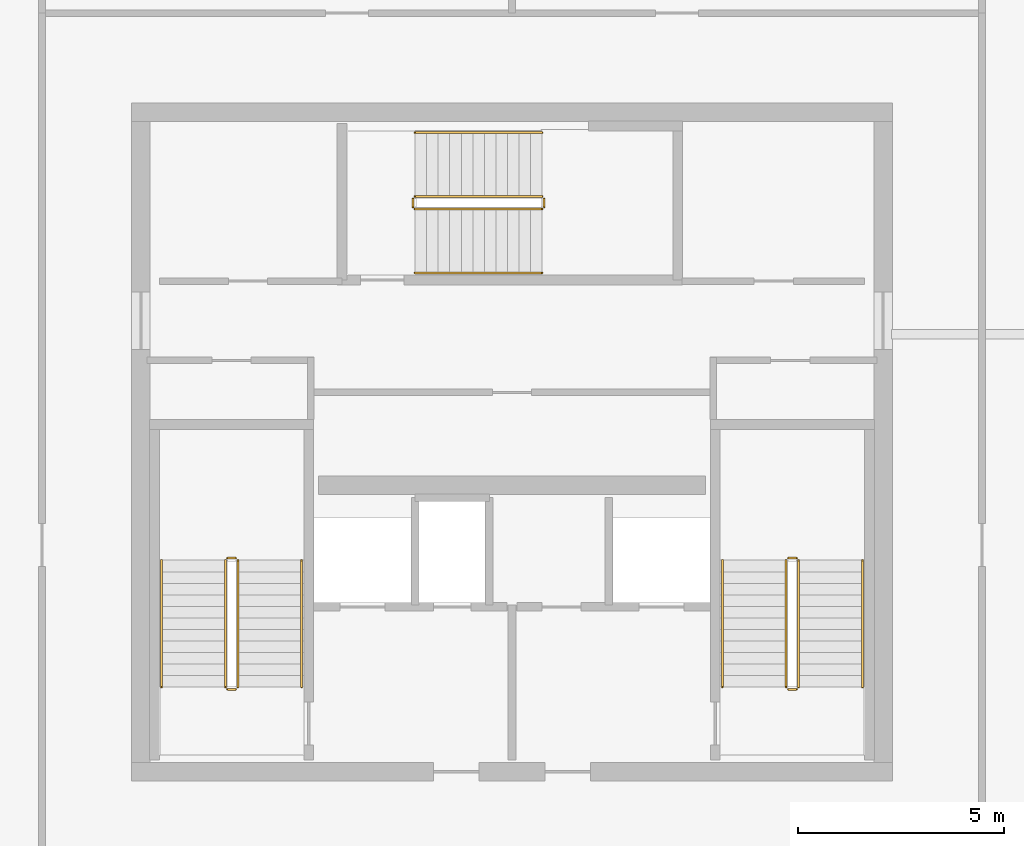
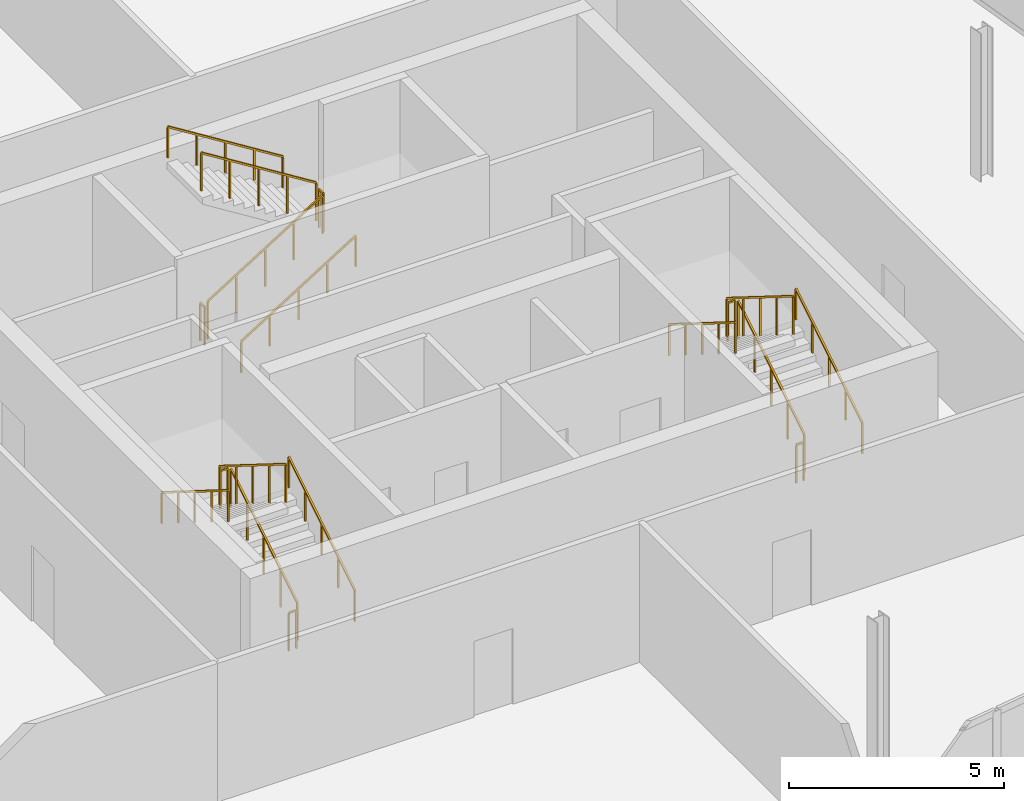
# One storey, part 13 of 13: 18 railings.
"""IFC4 building model written with IfcOpenShell, lengths in metres."""

from ifc_helpers import new_model, si_unit, direction, frame, origin, origin_2d, place, context, subcontext, project, spatial, rectangle, extrude, material, type_object, element, save


model = new_model("IFC4")

# Units and contexts
model_context = context("Model", 3, precision=1e-05, world=origin(), true_north=direction((0.0, 1.0)))
body_context = subcontext(model_context, "Body", "Model", "MODEL_VIEW")
ifc_project = project(units=[si_unit("LENGTHUNIT", "METRE"), si_unit("AREAUNIT", "SQUARE_METRE"), si_unit("VOLUMEUNIT", "CUBIC_METRE"), si_unit("PLANEANGLEUNIT", "RADIAN"), si_unit("MASSUNIT", "GRAM", prefix="KILO")], contexts=[model_context])

# Site, building, storey
site_placement = place(None, origin())
site = spatial("IfcSite", under=ifc_project, at=site_placement, CompositionType="ELEMENT")
building_placement = place(site_placement, origin())
building = spatial("IfcBuilding", under=site, at=building_placement, Name="Haldenkirk Collegiate Tower", CompositionType="ELEMENT")
storey_placement = place(building_placement, frame((0.0, 0.0, 356.39990234375)))
storey = spatial("IfcBuildingStorey", under=building, at=storey_placement, Name="L90", CompositionType="ELEMENT", Elevation=356.39990234375)

# Railings
ifc_material = material(Name="Painted architectural tubular steel", Category="steel")
railing_type_1 = type_object("IfcRailingType", Name="RLG-STAIR-GUARD-1100", PredefinedType="BALUSTRADE", material=ifc_material)
railing_1_placement = place(storey_placement, frame((29.35009765625, 20.050048828125, 0.175048828125)))
element("IfcRailing", 1, at=railing_1_placement, inside=storey, type_object=railing_type_1, Name="L90 ST-1 stair guard 1", PredefinedType="BALUSTRADE", context=body_context, shape_type="SweptSolid", body=[
    extrude(rectangle(XDim=0.048095703125, YDim=0.048095703125, at=origin_2d()), frame((0.0, 0.0, 1.076171875), z_axis=(0.0, 0.847979421464, 0.530029150871), x_axis=(-1.0, 0.0, 0.0)), (0.0, 0.0, 1.0), 3.632080078125),
    extrude(rectangle(XDim=0.0419921875, YDim=0.0419921875, at=origin_2d()), origin(), (0.0, 0.0, 1.0), 1.052001953125),
    extrude(rectangle(XDim=0.0419921875, YDim=0.0419921875, at=origin_2d()), frame((0.0, 0.77001953125, 0.481201171875)), (0.0, 0.0, 1.0), 1.052001953125),
    extrude(rectangle(XDim=0.0419921875, YDim=0.0419921875, at=origin_2d()), frame((0.0, 1.5400390625, 0.96240234375)), (0.0, 0.0, 1.0), 1.052001953125),
    extrude(rectangle(XDim=0.0419921875, YDim=0.0419921875, at=origin_2d()), frame((0.0, 2.309814453125, 1.44384765625)), (0.0, 0.0, 1.0), 1.052001953125),
    extrude(rectangle(XDim=0.0419921875, YDim=0.0419921875, at=origin_2d()), frame((0.0, 3.079833984375, 1.925048828125)), (0.0, 0.0, 1.0), 1.052001953125),
])
railing_2_placement = place(storey_placement, frame((29.300048828125, 23.179931640625, 2.10009765625)))
element("IfcRailing", 2, at=railing_2_placement, inside=storey, type_object=railing_type_1, Name="L90 ST-1 stair guard 2", PredefinedType="BALUSTRADE", context=body_context, shape_type="SweptSolid", body=[
    extrude(rectangle(XDim=0.048095703125, YDim=0.048095703125, at=origin_2d()), frame((0.0, 0.0, 1.076171875), z_axis=(-1.0, 0.0, 0.0), x_axis=(0.0, -1.0, 0.0)), (0.0, 0.0, 1.0), 0.199951171875),
    extrude(rectangle(XDim=0.0419921875, YDim=0.0419921875, at=origin_2d()), origin(), (0.0, 0.0, 1.0), 1.052001953125),
    extrude(rectangle(XDim=0.0419921875, YDim=0.0419921875, at=origin_2d()), frame((-0.199951171875, 0.0, 0.0)), (0.0, 0.0, 1.0), 1.052001953125),
])
railing_3_placement = place(storey_placement, frame((29.050048828125, 23.1298828125, 2.275146484375)))
element("IfcRailing", 3, at=railing_3_placement, inside=storey, type_object=railing_type_1, Name="L90 ST-1 stair guard 3", PredefinedType="BALUSTRADE", context=body_context, shape_type="SweptSolid", body=[
    extrude(rectangle(XDim=0.048095703125, YDim=0.048095703125, at=origin_2d()), frame((0.0, 0.0, 1.076171875), z_axis=(0.0, -0.847979421464, 0.530029150871), x_axis=(1.0, 0.0, 0.0)), (0.0, 0.0, 1.0), 3.632080078125),
    extrude(rectangle(XDim=0.0419921875, YDim=0.0419921875, at=origin_2d()), origin(), (0.0, 0.0, 1.0), 1.052001953125),
    extrude(rectangle(XDim=0.0419921875, YDim=0.0419921875, at=origin_2d()), frame((0.0, -0.77001953125, 0.481201171875)), (0.0, 0.0, 1.0), 1.052001953125),
    extrude(rectangle(XDim=0.0419921875, YDim=0.0419921875, at=origin_2d()), frame((0.0, -1.5400390625, 0.96240234375)), (0.0, 0.0, 1.0), 1.052001953125),
    extrude(rectangle(XDim=0.0419921875, YDim=0.0419921875, at=origin_2d()), frame((0.0, -2.309814453125, 1.44384765625)), (0.0, 0.0, 1.0), 1.052001953125),
    extrude(rectangle(XDim=0.0419921875, YDim=0.0419921875, at=origin_2d()), frame((0.0, -3.079833984375, 1.925048828125)), (0.0, 0.0, 1.0), 1.052001953125),
])
railing_4_placement = place(storey_placement, frame((29.300048828125, 20.0, 0.0)))
element("IfcRailing", 4, at=railing_4_placement, inside=storey, type_object=railing_type_1, Name="L90 ST-1 stair guard 4", PredefinedType="BALUSTRADE", context=body_context, shape_type="SweptSolid", body=[
    extrude(rectangle(XDim=0.048095703125, YDim=0.048095703125, at=origin_2d()), frame((0.0, 0.0, 1.076171875), z_axis=(-1.0, 0.0, 0.0), x_axis=(0.0, -1.0, 0.0)), (0.0, 0.0, 1.0), 0.199951171875),
    extrude(rectangle(XDim=0.0419921875, YDim=0.0419921875, at=origin_2d()), origin(), (0.0, 0.0, 1.0), 1.052001953125),
    extrude(rectangle(XDim=0.0419921875, YDim=0.0419921875, at=origin_2d()), frame((-0.199951171875, 0.0, 0.0)), (0.0, 0.0, 1.0), 1.052001953125),
])
railing_5_placement = place(storey_placement, frame((42.949951171875, 20.050048828125, 0.175048828125)))
element("IfcRailing", 5, at=railing_5_placement, inside=storey, type_object=railing_type_1, Name="L90 ST-2 stair guard 1", PredefinedType="BALUSTRADE", context=body_context, shape_type="SweptSolid", body=[
    extrude(rectangle(XDim=0.048095703125, YDim=0.048095703125, at=origin_2d()), frame((0.0, 0.0, 1.076171875), z_axis=(0.0, 0.847979421464, 0.530029150871), x_axis=(-1.0, 0.0, 0.0)), (0.0, 0.0, 1.0), 3.632080078125),
    extrude(rectangle(XDim=0.0419921875, YDim=0.0419921875, at=origin_2d()), origin(), (0.0, 0.0, 1.0), 1.052001953125),
    extrude(rectangle(XDim=0.0419921875, YDim=0.0419921875, at=origin_2d()), frame((0.0, 0.77001953125, 0.481201171875)), (0.0, 0.0, 1.0), 1.052001953125),
    extrude(rectangle(XDim=0.0419921875, YDim=0.0419921875, at=origin_2d()), frame((0.0, 1.5400390625, 0.96240234375)), (0.0, 0.0, 1.0), 1.052001953125),
    extrude(rectangle(XDim=0.0419921875, YDim=0.0419921875, at=origin_2d()), frame((0.0, 2.309814453125, 1.44384765625)), (0.0, 0.0, 1.0), 1.052001953125),
    extrude(rectangle(XDim=0.0419921875, YDim=0.0419921875, at=origin_2d()), frame((0.0, 3.079833984375, 1.925048828125)), (0.0, 0.0, 1.0), 1.052001953125),
])
railing_6_placement = place(storey_placement, frame((42.89990234375, 23.179931640625, 2.10009765625)))
element("IfcRailing", 6, at=railing_6_placement, inside=storey, type_object=railing_type_1, Name="L90 ST-2 stair guard 2", PredefinedType="BALUSTRADE", context=body_context, shape_type="SweptSolid", body=[
    extrude(rectangle(XDim=0.048095703125, YDim=0.048095703125, at=origin_2d()), frame((0.0, 0.0, 1.076171875), z_axis=(-1.0, 0.0, 0.0), x_axis=(0.0, -1.0, 0.0)), (0.0, 0.0, 1.0), 0.199951171875),
    extrude(rectangle(XDim=0.0419921875, YDim=0.0419921875, at=origin_2d()), origin(), (0.0, 0.0, 1.0), 1.052001953125),
    extrude(rectangle(XDim=0.0419921875, YDim=0.0419921875, at=origin_2d()), frame((-0.199951171875, 0.0, 0.0)), (0.0, 0.0, 1.0), 1.052001953125),
])
railing_7_placement = place(storey_placement, frame((42.64990234375, 23.1298828125, 2.275146484375)))
element("IfcRailing", 7, at=railing_7_placement, inside=storey, type_object=railing_type_1, Name="L90 ST-2 stair guard 3", PredefinedType="BALUSTRADE", context=body_context, shape_type="SweptSolid", body=[
    extrude(rectangle(XDim=0.048095703125, YDim=0.048095703125, at=origin_2d()), frame((0.0, 0.0, 1.076171875), z_axis=(0.0, -0.847979421464, 0.530029150871), x_axis=(1.0, 0.0, 0.0)), (0.0, 0.0, 1.0), 3.632080078125),
    extrude(rectangle(XDim=0.0419921875, YDim=0.0419921875, at=origin_2d()), origin(), (0.0, 0.0, 1.0), 1.052001953125),
    extrude(rectangle(XDim=0.0419921875, YDim=0.0419921875, at=origin_2d()), frame((0.0, -0.77001953125, 0.481201171875)), (0.0, 0.0, 1.0), 1.052001953125),
    extrude(rectangle(XDim=0.0419921875, YDim=0.0419921875, at=origin_2d()), frame((0.0, -1.5400390625, 0.96240234375)), (0.0, 0.0, 1.0), 1.052001953125),
    extrude(rectangle(XDim=0.0419921875, YDim=0.0419921875, at=origin_2d()), frame((0.0, -2.309814453125, 1.44384765625)), (0.0, 0.0, 1.0), 1.052001953125),
    extrude(rectangle(XDim=0.0419921875, YDim=0.0419921875, at=origin_2d()), frame((0.0, -3.079833984375, 1.925048828125)), (0.0, 0.0, 1.0), 1.052001953125),
])
railing_8_placement = place(storey_placement, frame((42.89990234375, 20.0, 0.0)))
element("IfcRailing", 8, at=railing_8_placement, inside=storey, type_object=railing_type_1, Name="L90 ST-2 stair guard 4", PredefinedType="BALUSTRADE", context=body_context, shape_type="SweptSolid", body=[
    extrude(rectangle(XDim=0.048095703125, YDim=0.048095703125, at=origin_2d()), frame((0.0, 0.0, 1.076171875), z_axis=(-1.0, 0.0, 0.0), x_axis=(0.0, -1.0, 0.0)), (0.0, 0.0, 1.0), 0.199951171875),
    extrude(rectangle(XDim=0.0419921875, YDim=0.0419921875, at=origin_2d()), origin(), (0.0, 0.0, 1.0), 1.052001953125),
    extrude(rectangle(XDim=0.0419921875, YDim=0.0419921875, at=origin_2d()), frame((-0.199951171875, 0.0, 0.0)), (0.0, 0.0, 1.0), 1.052001953125),
])
railing_9_placement = place(storey_placement, frame((33.64990234375, 31.64990234375, 0.175048828125)))
element("IfcRailing", 9, at=railing_9_placement, inside=storey, type_object=railing_type_1, Name="L90 ST-3 stair guard 1", PredefinedType="BALUSTRADE", context=body_context, shape_type="SweptSolid", body=[
    extrude(rectangle(XDim=0.048095703125, YDim=0.048095703125, at=origin_2d()), frame((0.0, 0.0, 1.076171875), z_axis=(0.847998304005, 0.0, 0.529998940003), x_axis=(0.0, 1.0, 0.0)), (0.0, 0.0, 1.0), 3.632080078125),
    extrude(rectangle(XDim=0.0419921875, YDim=0.0419921875, at=origin_2d()), origin(), (0.0, 0.0, 1.0), 1.052001953125),
    extrude(rectangle(XDim=0.0419921875, YDim=0.0419921875, at=origin_2d()), frame((0.77001953125, 0.0, 0.481201171875)), (0.0, 0.0, 1.0), 1.052001953125),
    extrude(rectangle(XDim=0.0419921875, YDim=0.0419921875, at=origin_2d()), frame((1.5400390625, 0.0, 0.96240234375)), (0.0, 0.0, 1.0), 1.052001953125),
    extrude(rectangle(XDim=0.0419921875, YDim=0.0419921875, at=origin_2d()), frame((2.31005859375, 0.0, 1.44384765625)), (0.0, 0.0, 1.0), 1.052001953125),
    extrude(rectangle(XDim=0.0419921875, YDim=0.0419921875, at=origin_2d()), frame((3.080078125, 0.0, 1.925048828125)), (0.0, 0.0, 1.0), 1.052001953125),
])
railing_10_placement = place(storey_placement, frame((36.780029296875, 31.699951171875, 2.10009765625)))
element("IfcRailing", 10, at=railing_10_placement, inside=storey, type_object=railing_type_1, Name="L90 ST-3 stair guard 2", PredefinedType="BALUSTRADE", context=body_context, shape_type="SweptSolid", body=[
    extrude(rectangle(XDim=0.048095703125, YDim=0.048095703125, at=origin_2d()), frame((0.0, 0.0, 1.076171875), z_axis=(0.0, 1.0, 0.0), x_axis=(-1.0, 0.0, 0.0)), (0.0, 0.0, 1.0), 0.199951171875),
    extrude(rectangle(XDim=0.0419921875, YDim=0.0419921875, at=origin_2d()), origin(), (0.0, 0.0, 1.0), 1.052001953125),
    extrude(rectangle(XDim=0.0419921875, YDim=0.0419921875, at=origin_2d()), frame((0.0, 0.199951171875, 0.0)), (0.0, 0.0, 1.0), 1.052001953125),
])
railing_11_placement = place(storey_placement, frame((36.72998046875, 31.949951171875, 2.275146484375)))
element("IfcRailing", 11, at=railing_11_placement, inside=storey, type_object=railing_type_1, Name="L90 ST-3 stair guard 3", PredefinedType="BALUSTRADE", context=body_context, shape_type="SweptSolid", body=[
    extrude(rectangle(XDim=0.048095703125, YDim=0.048095703125, at=origin_2d()), frame((0.0, 0.0, 1.076171875), z_axis=(-0.847998304005, 0.0, 0.529998940003), x_axis=(0.0, -1.0, 0.0)), (0.0, 0.0, 1.0), 3.632080078125),
    extrude(rectangle(XDim=0.0419921875, YDim=0.0419921875, at=origin_2d()), origin(), (0.0, 0.0, 1.0), 1.052001953125),
    extrude(rectangle(XDim=0.0419921875, YDim=0.0419921875, at=origin_2d()), frame((-0.77001953125, 0.0, 0.481201171875)), (0.0, 0.0, 1.0), 1.052001953125),
    extrude(rectangle(XDim=0.0419921875, YDim=0.0419921875, at=origin_2d()), frame((-1.5400390625, 0.0, 0.96240234375)), (0.0, 0.0, 1.0), 1.052001953125),
    extrude(rectangle(XDim=0.0419921875, YDim=0.0419921875, at=origin_2d()), frame((-2.31005859375, 0.0, 1.44384765625)), (0.0, 0.0, 1.0), 1.052001953125),
    extrude(rectangle(XDim=0.0419921875, YDim=0.0419921875, at=origin_2d()), frame((-3.080078125, 0.0, 1.925048828125)), (0.0, 0.0, 1.0), 1.052001953125),
])
railing_12_placement = place(storey_placement, frame((33.60009765625, 31.699951171875, 0.0)))
element("IfcRailing", 12, at=railing_12_placement, inside=storey, type_object=railing_type_1, Name="L90 ST-3 stair guard 4", PredefinedType="BALUSTRADE", context=body_context, shape_type="SweptSolid", body=[
    extrude(rectangle(XDim=0.048095703125, YDim=0.048095703125, at=origin_2d()), frame((0.0, 0.0, 1.076171875), z_axis=(0.0, 1.0, 0.0), x_axis=(-1.0, 0.0, 0.0)), (0.0, 0.0, 1.0), 0.199951171875),
    extrude(rectangle(XDim=0.0419921875, YDim=0.0419921875, at=origin_2d()), origin(), (0.0, 0.0, 1.0), 1.052001953125),
    extrude(rectangle(XDim=0.0419921875, YDim=0.0419921875, at=origin_2d()), frame((0.0, 0.199951171875, 0.0)), (0.0, 0.0, 1.0), 1.052001953125),
])
railing_type_2 = type_object("IfcRailingType", Name="RLG-STAIR-HANDRAIL-900", PredefinedType="HANDRAIL", material=ifc_material)
railing_13_placement = place(storey_placement, frame((30.89990234375, 20.050048828125, 0.175048828125)))
element("IfcRailing", 13, at=railing_13_placement, inside=storey, type_object=railing_type_2, Name="L90 ST-1 stair handrail 1", PredefinedType="HANDRAIL", context=body_context, shape_type="SweptSolid", body=[
    extrude(rectangle(XDim=0.048095703125, YDim=0.048095703125, at=origin_2d()), frame((0.0, 0.0, 0.8759765625), z_axis=(0.0, 0.847979421464, 0.530029150871), x_axis=(-1.0, 0.0, 0.0)), (0.0, 0.0, 1.0), 3.632080078125),
    extrude(rectangle(XDim=0.0419921875, YDim=0.0419921875, at=origin_2d()), origin(), (0.0, 0.0, 1.0), 0.851806640625),
    extrude(rectangle(XDim=0.0419921875, YDim=0.0419921875, at=origin_2d()), frame((0.0, 0.77001953125, 0.481201171875)), (0.0, 0.0, 1.0), 0.851806640625),
    extrude(rectangle(XDim=0.0419921875, YDim=0.0419921875, at=origin_2d()), frame((0.0, 1.5400390625, 0.96240234375)), (0.0, 0.0, 1.0), 0.851806640625),
    extrude(rectangle(XDim=0.0419921875, YDim=0.0419921875, at=origin_2d()), frame((0.0, 2.309814453125, 1.44384765625)), (0.0, 0.0, 1.0), 0.851806640625),
    extrude(rectangle(XDim=0.0419921875, YDim=0.0419921875, at=origin_2d()), frame((0.0, 3.079833984375, 1.925048828125)), (0.0, 0.0, 1.0), 0.851806640625),
])
railing_14_placement = place(storey_placement, frame((27.5, 23.1298828125, 2.275146484375)))
element("IfcRailing", 14, at=railing_14_placement, inside=storey, type_object=railing_type_2, Name="L90 ST-1 stair handrail 2", PredefinedType="HANDRAIL", context=body_context, shape_type="SweptSolid", body=[
    extrude(rectangle(XDim=0.048095703125, YDim=0.048095703125, at=origin_2d()), frame((0.0, 0.0, 0.8759765625), z_axis=(0.0, -0.847979421464, 0.530029150871), x_axis=(1.0, 0.0, 0.0)), (0.0, 0.0, 1.0), 3.632080078125),
    extrude(rectangle(XDim=0.0419921875, YDim=0.0419921875, at=origin_2d()), origin(), (0.0, 0.0, 1.0), 0.851806640625),
    extrude(rectangle(XDim=0.0419921875, YDim=0.0419921875, at=origin_2d()), frame((0.0, -0.77001953125, 0.481201171875)), (0.0, 0.0, 1.0), 0.851806640625),
    extrude(rectangle(XDim=0.0419921875, YDim=0.0419921875, at=origin_2d()), frame((0.0, -1.5400390625, 0.96240234375)), (0.0, 0.0, 1.0), 0.851806640625),
    extrude(rectangle(XDim=0.0419921875, YDim=0.0419921875, at=origin_2d()), frame((0.0, -2.309814453125, 1.44384765625)), (0.0, 0.0, 1.0), 0.851806640625),
    extrude(rectangle(XDim=0.0419921875, YDim=0.0419921875, at=origin_2d()), frame((0.0, -3.079833984375, 1.925048828125)), (0.0, 0.0, 1.0), 0.851806640625),
])
railing_15_placement = place(storey_placement, frame((44.5, 20.050048828125, 0.175048828125)))
element("IfcRailing", 15, at=railing_15_placement, inside=storey, type_object=railing_type_2, Name="L90 ST-2 stair handrail 1", PredefinedType="HANDRAIL", context=body_context, shape_type="SweptSolid", body=[
    extrude(rectangle(XDim=0.048095703125, YDim=0.048095703125, at=origin_2d()), frame((0.0, 0.0, 0.8759765625), z_axis=(0.0, 0.847979421464, 0.530029150871), x_axis=(-1.0, 0.0, 0.0)), (0.0, 0.0, 1.0), 3.632080078125),
    extrude(rectangle(XDim=0.0419921875, YDim=0.0419921875, at=origin_2d()), origin(), (0.0, 0.0, 1.0), 0.851806640625),
    extrude(rectangle(XDim=0.0419921875, YDim=0.0419921875, at=origin_2d()), frame((0.0, 0.77001953125, 0.481201171875)), (0.0, 0.0, 1.0), 0.851806640625),
    extrude(rectangle(XDim=0.0419921875, YDim=0.0419921875, at=origin_2d()), frame((0.0, 1.5400390625, 0.96240234375)), (0.0, 0.0, 1.0), 0.851806640625),
    extrude(rectangle(XDim=0.0419921875, YDim=0.0419921875, at=origin_2d()), frame((0.0, 2.309814453125, 1.44384765625)), (0.0, 0.0, 1.0), 0.851806640625),
    extrude(rectangle(XDim=0.0419921875, YDim=0.0419921875, at=origin_2d()), frame((0.0, 3.079833984375, 1.925048828125)), (0.0, 0.0, 1.0), 0.851806640625),
])
railing_16_placement = place(storey_placement, frame((41.10009765625, 23.1298828125, 2.275146484375)))
element("IfcRailing", 16, at=railing_16_placement, inside=storey, type_object=railing_type_2, Name="L90 ST-2 stair handrail 2", PredefinedType="HANDRAIL", context=body_context, shape_type="SweptSolid", body=[
    extrude(rectangle(XDim=0.048095703125, YDim=0.048095703125, at=origin_2d()), frame((0.0, 0.0, 0.8759765625), z_axis=(0.0, -0.847979421464, 0.530029150871), x_axis=(1.0, 0.0, 0.0)), (0.0, 0.0, 1.0), 3.632080078125),
    extrude(rectangle(XDim=0.0419921875, YDim=0.0419921875, at=origin_2d()), origin(), (0.0, 0.0, 1.0), 0.851806640625),
    extrude(rectangle(XDim=0.0419921875, YDim=0.0419921875, at=origin_2d()), frame((0.0, -0.77001953125, 0.481201171875)), (0.0, 0.0, 1.0), 0.851806640625),
    extrude(rectangle(XDim=0.0419921875, YDim=0.0419921875, at=origin_2d()), frame((0.0, -1.5400390625, 0.96240234375)), (0.0, 0.0, 1.0), 0.851806640625),
    extrude(rectangle(XDim=0.0419921875, YDim=0.0419921875, at=origin_2d()), frame((0.0, -2.309814453125, 1.44384765625)), (0.0, 0.0, 1.0), 0.851806640625),
    extrude(rectangle(XDim=0.0419921875, YDim=0.0419921875, at=origin_2d()), frame((0.0, -3.079833984375, 1.925048828125)), (0.0, 0.0, 1.0), 0.851806640625),
])
railing_17_placement = place(storey_placement, frame((33.64990234375, 30.10009765625, 0.175048828125)))
element("IfcRailing", 17, at=railing_17_placement, inside=storey, type_object=railing_type_2, Name="L90 ST-3 stair handrail 1", PredefinedType="HANDRAIL", context=body_context, shape_type="SweptSolid", body=[
    extrude(rectangle(XDim=0.048095703125, YDim=0.048095703125, at=origin_2d()), frame((0.0, 0.0, 0.8759765625), z_axis=(0.847998304005, 0.0, 0.529998940003), x_axis=(0.0, 1.0, 0.0)), (0.0, 0.0, 1.0), 3.632080078125),
    extrude(rectangle(XDim=0.0419921875, YDim=0.0419921875, at=origin_2d()), origin(), (0.0, 0.0, 1.0), 0.851806640625),
    extrude(rectangle(XDim=0.0419921875, YDim=0.0419921875, at=origin_2d()), frame((0.77001953125, 0.0, 0.481201171875)), (0.0, 0.0, 1.0), 0.851806640625),
    extrude(rectangle(XDim=0.0419921875, YDim=0.0419921875, at=origin_2d()), frame((1.5400390625, 0.0, 0.96240234375)), (0.0, 0.0, 1.0), 0.851806640625),
    extrude(rectangle(XDim=0.0419921875, YDim=0.0419921875, at=origin_2d()), frame((2.31005859375, 0.0, 1.44384765625)), (0.0, 0.0, 1.0), 0.851806640625),
    extrude(rectangle(XDim=0.0419921875, YDim=0.0419921875, at=origin_2d()), frame((3.080078125, 0.0, 1.925048828125)), (0.0, 0.0, 1.0), 0.851806640625),
])
railing_18_placement = place(storey_placement, frame((36.72998046875, 33.5, 2.275146484375)))
element("IfcRailing", 18, at=railing_18_placement, inside=storey, type_object=railing_type_2, Name="L90 ST-3 stair handrail 2", PredefinedType="HANDRAIL", context=body_context, shape_type="SweptSolid", body=[
    extrude(rectangle(XDim=0.048095703125, YDim=0.048095703125, at=origin_2d()), frame((0.0, 0.0, 0.8759765625), z_axis=(-0.847998304005, 0.0, 0.529998940003), x_axis=(0.0, -1.0, 0.0)), (0.0, 0.0, 1.0), 3.632080078125),
    extrude(rectangle(XDim=0.0419921875, YDim=0.0419921875, at=origin_2d()), origin(), (0.0, 0.0, 1.0), 0.851806640625),
    extrude(rectangle(XDim=0.0419921875, YDim=0.0419921875, at=origin_2d()), frame((-0.77001953125, 0.0, 0.481201171875)), (0.0, 0.0, 1.0), 0.851806640625),
    extrude(rectangle(XDim=0.0419921875, YDim=0.0419921875, at=origin_2d()), frame((-1.5400390625, 0.0, 0.96240234375)), (0.0, 0.0, 1.0), 0.851806640625),
    extrude(rectangle(XDim=0.0419921875, YDim=0.0419921875, at=origin_2d()), frame((-2.31005859375, 0.0, 1.44384765625)), (0.0, 0.0, 1.0), 0.851806640625),
    extrude(rectangle(XDim=0.0419921875, YDim=0.0419921875, at=origin_2d()), frame((-3.080078125, 0.0, 1.925048828125)), (0.0, 0.0, 1.0), 0.851806640625),
])

save(model, "model.ifc")
